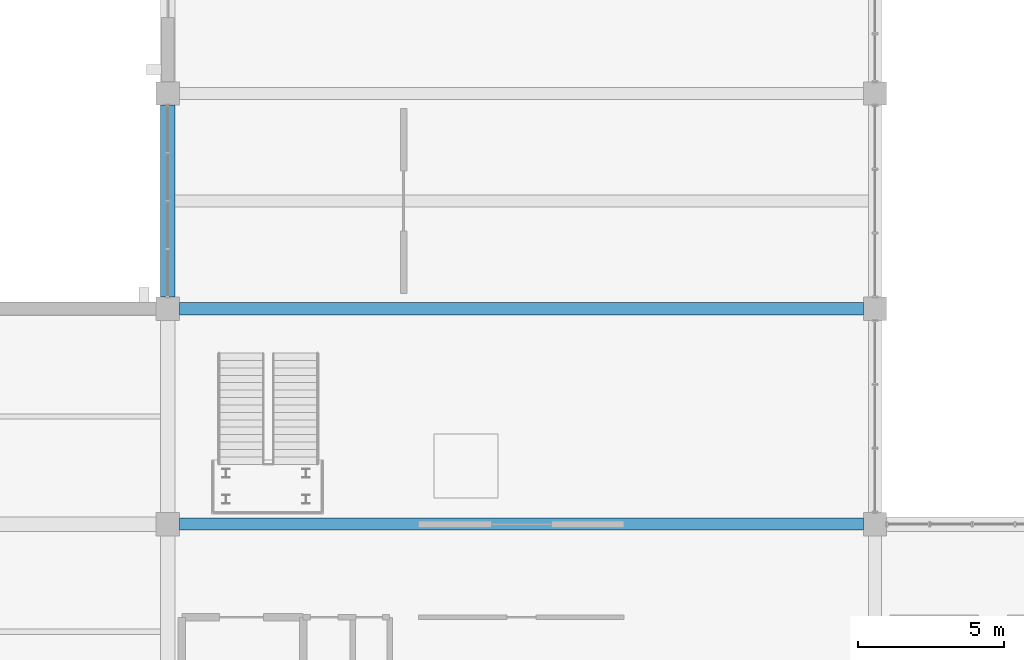
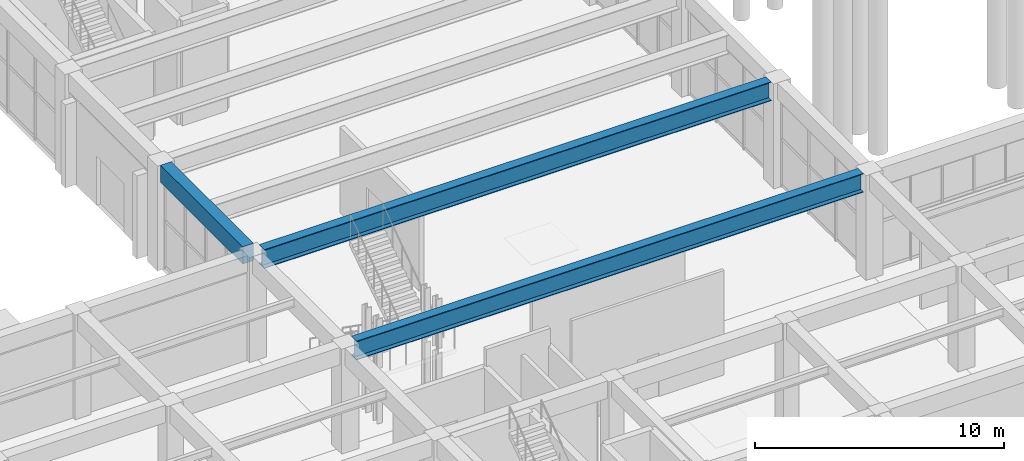
# One storey, part 38 of 140: 3 beams.
"""IFC4 building model written with IfcOpenShell, lengths in metres."""

from ifc_helpers import new_model, si_unit, direction, frame, origin, origin_2d, place, context, subcontext, project, spatial, rectangle, i_section, extrude, material, material_profile, profile_set, type_object, element, save


model = new_model("IFC4")

# Units and contexts
model_context = context("Model", 3, precision=1e-05, world=origin(), true_north=direction((0.0, 1.0)))
body_context = subcontext(model_context, "Body", "Model", "MODEL_VIEW")
ifc_project = project(units=[si_unit("LENGTHUNIT", "METRE"), si_unit("AREAUNIT", "SQUARE_METRE"), si_unit("VOLUMEUNIT", "CUBIC_METRE"), si_unit("PLANEANGLEUNIT", "RADIAN"), si_unit("MASSUNIT", "GRAM", prefix="KILO")], contexts=[model_context])

# Site, building, storey
site_placement = place(None, origin())
site = spatial("IfcSite", under=ifc_project, at=site_placement, CompositionType="ELEMENT")
building_placement = place(site_placement, origin())
building = spatial("IfcBuilding", under=site, at=building_placement, Name="Cimatlan Art Gallery", CompositionType="ELEMENT")
storey_placement = place(building_placement, origin())
storey = spatial("IfcBuildingStorey", under=building, at=storey_placement, Name="L00", CompositionType="ELEMENT", Elevation=0.0)

# Beams
ifc_material_1 = material(Name="Concrete C40/50", Category="concrete")
ifc_material_profile_1 = material_profile(ifc_material_1, rectangle(XDim=0.5, YDim=0.85009765625, at=origin_2d()), Name="RC500X850")
ifc_profile_set_1 = profile_set([ifc_material_profile_1], Name="Concrete C40/50")
beam_type_1 = type_object("IfcBeamType", Name="BM-RC-500X850", PredefinedType="BEAM", material=ifc_profile_set_1)
beam_placement = place(storey_placement, frame((74.89990234375, 46.5, 4.7099609375), z_axis=(0.0, 1.0, 0.0), x_axis=(-1.0, 0.0, 0.0)))
element("IfcBeam", 1, at=beam_placement, inside=storey, type_object=beam_type_1, Name="BM-Y-L00-09-06", PredefinedType="BEAM", context=body_context, shape_type="SweptSolid", body=[
    extrude(rectangle(XDim=0.5, YDim=0.85009765625, at=origin_2d()), origin(), (0.0, 0.0, 1.0), 6.60009765625),
])
ifc_material_2 = material(Name="Steel ASTM A992 Grade 50", Category="steel")
ifc_material_profile_2 = material_profile(ifc_material_2, i_section(OverallWidth=0.41796875, OverallDepth=0.927001953125, WebThickness=0.019287109375, FlangeThickness=0.031982421875, at=origin_2d()), Name="W36X231")
ifc_profile_set_2 = profile_set([ifc_material_profile_2], Name="Steel ASTM A992 Grade 50")
beam_type_2 = type_object("IfcBeamType", Name="BM-SPAN24-L01", PredefinedType="BEAM", material=ifc_profile_set_2)
for number, where, z_axis, x_axis, name in (
    (2, (75.300048828125, 38.699951171875, 4.67138671875), (1.0, 0.0, 0.0), (0.0, 1.0, 0.0), "BM-SP24-L00-05"),
    (3, (75.300048828125, 46.10009765625, 4.67138671875), (1.0, 0.0, 0.0), (0.0, 1.0, 0.0), "BM-SP24-L00-06"),
):
    element("IfcBeam", number, at=place(storey_placement, frame(where, z_axis=z_axis, x_axis=x_axis)), inside=storey, type_object=beam_type_2, Name=name, PredefinedType="BEAM", context=body_context, shape_type="SweptSolid", body=[
        extrude(i_section(OverallWidth=0.41796875, OverallDepth=0.927001953125, WebThickness=0.019287109375, FlangeThickness=0.031982421875, at=origin_2d()), origin(), (0.0, 0.0, 1.0), 23.5),
    ])

save(model, "model.ifc")
